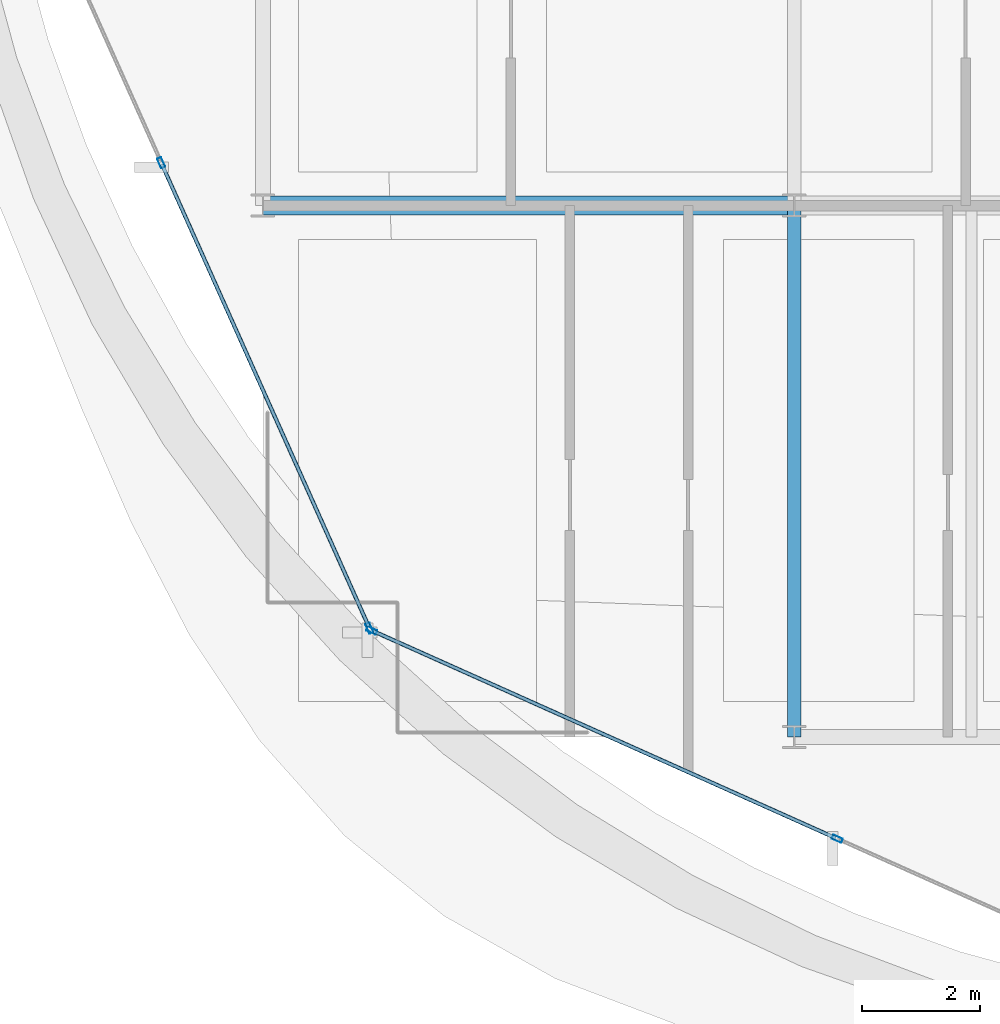
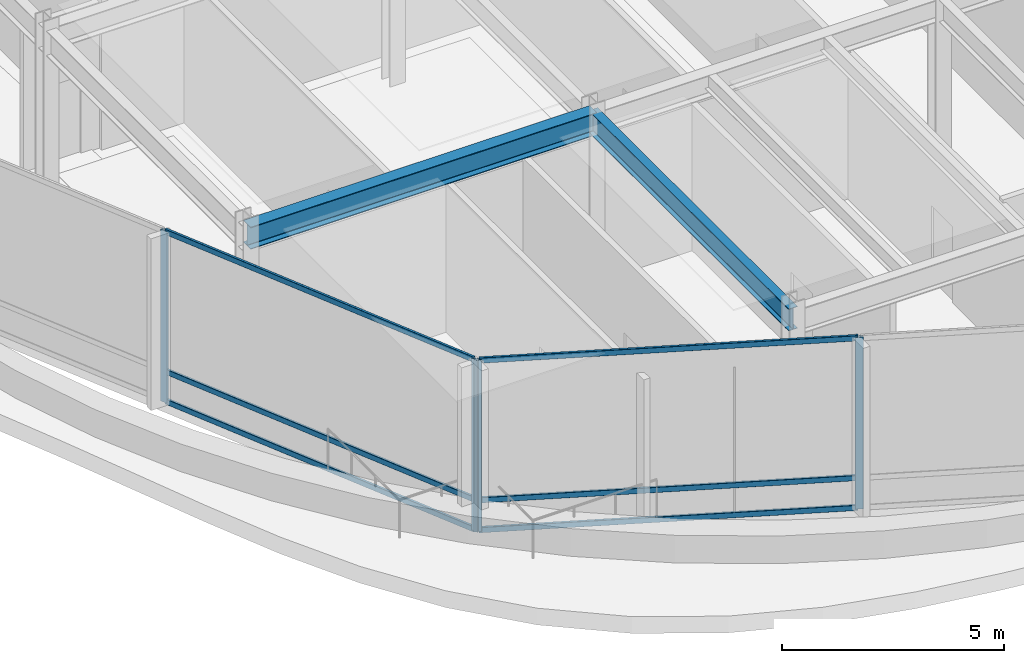
# One storey, part 2 of 23: 10 members, 2 beams, 2 elements without a shape of their own.
"""IFC4 building model written with IfcOpenShell, lengths in metres."""

from ifc_helpers import new_model, si_unit, direction, frame, origin, origin_2d, place, context, subcontext, project, spatial, hollow_rectangle, i_section, extrude, material, layer, layer_set, material_profile, profile_set, type_object, element, aggregate, save


model = new_model("IFC4")

# Units and contexts
model_context = context("Model", 3, precision=1e-05, world=origin(), true_north=direction((0.0, 1.0)))
body_context = subcontext(model_context, "Body", "Model", "MODEL_VIEW")
ifc_project = project(units=[si_unit("LENGTHUNIT", "METRE"), si_unit("AREAUNIT", "SQUARE_METRE"), si_unit("VOLUMEUNIT", "CUBIC_METRE"), si_unit("PLANEANGLEUNIT", "RADIAN"), si_unit("MASSUNIT", "GRAM", prefix="KILO")], contexts=[model_context])

# Site, building, storey
site_placement = place(None, origin())
site = spatial("IfcSite", under=ifc_project, at=site_placement, CompositionType="ELEMENT")
building_placement = place(site_placement, origin())
building = spatial("IfcBuilding", under=site, at=building_placement, Name="Solvaryn Broadcast Tower", CompositionType="ELEMENT")
storey_placement = place(building_placement, frame((0.0, 0.0, 235.800048828125)))
storey = spatial("IfcBuildingStorey", under=building, at=storey_placement, Name="L59", CompositionType="ELEMENT", Elevation=235.800048828125)

# Beams
ifc_material_1 = material(Name="Steel ASTM A992 Grade 50", Category="steel")
ifc_material_profile_1 = material_profile(ifc_material_1, i_section(OverallWidth=0.323974609375, OverallDepth=0.611083984375, WebThickness=0.0126953125, FlangeThickness=0.01904296875, FilletRadius=0.014892578125, at=origin_2d()))
ifc_profile_set_1 = profile_set([ifc_material_profile_1], Name="Steel ASTM A992 Grade 50")
beam_type_1 = type_object("IfcBeamType", Name="BM-B1-W24X104", PredefinedType="BEAM", material=ifc_profile_set_1)
beam_1_placement = place(storey_placement, frame((9.0, 18.0, 4.41455078125), z_axis=(1.0, 0.0, 0.0), x_axis=(0.0, 1.0, 0.0)))
element("IfcBeam", 1, at=beam_1_placement, inside=storey, type_object=beam_type_1, Name="L59 Primary Beam X (9-18 @ Y=18)", PredefinedType="BEAM", context=body_context, shape_type="SweptSolid", body=[
    extrude(i_section(OverallWidth=0.323974609375, OverallDepth=0.611083984375, WebThickness=0.0126953125, FlangeThickness=0.01904296875, FilletRadius=0.014892578125, at=origin_2d()), origin(), (0.0, 0.0, 1.0), 9.0),
])
ifc_material_2 = material(Name="Steel ASTM A992 Grade 50", Category="steel")
ifc_material_profile_2 = material_profile(ifc_material_2, i_section(OverallWidth=0.22802734375, OverallDepth=0.60791015625, WebThickness=0.01123046875, FlangeThickness=0.017333984375, FilletRadius=0.014892578125, at=origin_2d()))
ifc_profile_set_2 = profile_set([ifc_material_profile_2], Name="Steel ASTM A992 Grade 50")
beam_type_2 = type_object("IfcBeamType", Name="BM-B2-W24X76", PredefinedType="BEAM", material=ifc_profile_set_2)
beam_2_placement = place(storey_placement, frame((18.0, 9.0, 4.416015625), z_axis=(0.0, 1.0, 0.0), x_axis=(-1.0, 0.0, 0.0)))
element("IfcBeam", 2, at=beam_2_placement, inside=storey, type_object=beam_type_2, Name="L59 Primary Beam Y (9-18 @ X=18)", PredefinedType="BEAM", context=body_context, shape_type="SweptSolid", body=[
    extrude(i_section(OverallWidth=0.22802734375, OverallDepth=0.60791015625, WebThickness=0.01123046875, FlangeThickness=0.017333984375, FilletRadius=0.014892578125, at=origin_2d()), origin(), (0.0, 0.0, 1.0), 9.0),
])

# Curtain wall, members
ifc_material_3 = material(Name="Aluminium and Terracotta Unitised Curtain Wall", Category="masonry")
ifc_layer = layer(ifc_material_3, 0.25)
ifc_layer_set = layer_set([ifc_layer], Name="CW-SYS4-SKYGARDEN")
curtain_wall_type = type_object("IfcCurtainWallType", Name="CW-SYS4-SKYGARDEN", PredefinedType="NOTDEFINED", material=ifc_layer_set)
curtain_wall_1_placement = place(storey_placement, origin())
curtain_wall_1 = element("IfcCurtainWall", 3, at=curtain_wall_1_placement, inside=storey, type_object=curtain_wall_type, Name="L59 Curtain Wall DR2", PredefinedType="NOTDEFINED")
ifc_material_4 = material(Name="Anodised Aluminium 6063-T6", Category="aluminium")
ifc_material_profile_3 = material_profile(ifc_material_4, hollow_rectangle(XDim=0.074951171875, YDim=0.179931640625, WallThickness=0.00390625, InnerFilletRadius=0.00390625, OuterFilletRadius=0.008056640625, at=origin_2d()))
ifc_profile_set_3 = profile_set([ifc_material_profile_3], Name="Anodised Aluminium 6063-T6")
member_type_1 = type_object("IfcMemberType", Name="CW-MUL-180", PredefinedType="MULLION", material=ifc_profile_set_3)
member_1_placement = place(storey_placement, frame((7.277587890625, 18.7265625, 0.0), z_axis=(0.0, 0.0, 1.0), x_axis=(0.912773530574, 0.408466010682, 0.0)))
member_1 = element("IfcMember", 4, at=member_1_placement, type_object=member_type_1, Name="CWS4 mullion 2", PredefinedType="MULLION", context=body_context, shape_type="SweptSolid", body=[
    extrude(hollow_rectangle(XDim=0.074951171875, YDim=0.179931640625, WallThickness=0.00390625, InnerFilletRadius=0.00390625, OuterFilletRadius=0.008056640625, at=origin_2d()), origin(), (0.0, 0.0, 1.0), 4.719970703125),
])
member_2_placement = place(storey_placement, frame((10.8046875, 10.844482421875, 0.0), z_axis=(0.0, 0.0, 1.0), x_axis=(0.912773530574, 0.408466010682, 0.0)))
member_2 = element("IfcMember", 5, at=member_2_placement, type_object=member_type_1, Name="CWS4 mullion 3", PredefinedType="MULLION", context=body_context, shape_type="SweptSolid", body=[
    extrude(hollow_rectangle(XDim=0.074951171875, YDim=0.179931640625, WallThickness=0.00390625, InnerFilletRadius=0.00390625, OuterFilletRadius=0.008056640625, at=origin_2d()), origin(), (0.0, 0.0, 1.0), 4.719970703125),
])

curtain_wall_2_placement = place(storey_placement, origin())
curtain_wall_2 = element("IfcCurtainWall", 6, at=curtain_wall_2_placement, inside=storey, type_object=curtain_wall_type, Name="L59 Curtain Wall DR3", PredefinedType="NOTDEFINED")
member_3_placement = place(storey_placement, frame((10.844482421875, 10.8046875, 0.0), z_axis=(0.0, 0.0, 1.0), x_axis=(0.408466010682, 0.912773530574, 0.0)))
member_3 = element("IfcMember", 7, at=member_3_placement, type_object=member_type_1, Name="CWS4 mullion 1", PredefinedType="MULLION", context=body_context, shape_type="SweptSolid", body=[
    extrude(hollow_rectangle(XDim=0.074951171875, YDim=0.179931640625, WallThickness=0.00390625, InnerFilletRadius=0.00390625, OuterFilletRadius=0.008056640625, at=origin_2d()), origin(), (0.0, 0.0, 1.0), 4.719970703125),
])
member_4_placement = place(storey_placement, frame((18.7265625, 7.277587890625, 0.0), z_axis=(0.0, 0.0, 1.0), x_axis=(0.408466010682, 0.912773530574, 0.0)))
member_4 = element("IfcMember", 8, at=member_4_placement, type_object=member_type_1, Name="CWS4 mullion 2", PredefinedType="MULLION", context=body_context, shape_type="SweptSolid", body=[
    extrude(hollow_rectangle(XDim=0.074951171875, YDim=0.179931640625, WallThickness=0.00390625, InnerFilletRadius=0.00390625, OuterFilletRadius=0.008056640625, at=origin_2d()), origin(), (0.0, 0.0, 1.0), 4.719970703125),
])

# Member
ifc_material_5 = material(Name="Anodised Aluminium 6063-T6", Category="aluminium")
ifc_material_profile_4 = material_profile(ifc_material_5, hollow_rectangle(XDim=0.06494140625, YDim=0.14990234375, WallThickness=0.00390625, InnerFilletRadius=0.00390625, OuterFilletRadius=0.008056640625, at=origin_2d()))
ifc_profile_set_4 = profile_set([ifc_material_profile_4], Name="Anodised Aluminium 6063-T6")
member_type_2 = type_object("IfcMemberType", Name="CW-TRN-150", PredefinedType="USERDEFINED", material=ifc_profile_set_4)
member_5_placement = place(storey_placement, frame((7.289794921875, 18.69921875, 0.030029296875), z_axis=(0.408459074172, -0.91277663463, 0.0), x_axis=(0.91277663463, 0.408459074172, 0.0)))
member_5 = element("IfcMember", 9, at=member_5_placement, type_object=member_type_2, Name="CWS4 transom 2.1", ObjectType="TRANSOM", PredefinedType="USERDEFINED", context=body_context, shape_type="SweptSolid", body=[
    extrude(hollow_rectangle(XDim=0.06494140625, YDim=0.14990234375, WallThickness=0.00390625, InnerFilletRadius=0.00390625, OuterFilletRadius=0.008056640625, at=origin_2d()), origin(), (0.0, 0.0, 1.0), 8.575439453125),
])

member_6_placement = place(storey_placement, frame((7.289794921875, 18.69921875, 0.849853515625), z_axis=(0.408459074172, -0.91277663463, 0.0), x_axis=(0.91277663463, 0.408459074172, 0.0)))
member_6 = element("IfcMember", 10, at=member_6_placement, type_object=member_type_2, Name="CWS4 transom 2.2", ObjectType="TRANSOM", PredefinedType="USERDEFINED", context=body_context, shape_type="SweptSolid", body=[
    extrude(hollow_rectangle(XDim=0.06494140625, YDim=0.14990234375, WallThickness=0.00390625, InnerFilletRadius=0.00390625, OuterFilletRadius=0.008056640625, at=origin_2d()), origin(), (0.0, 0.0, 1.0), 8.575439453125),
])

member_7_placement = place(storey_placement, frame((7.289794921875, 18.69921875, 4.68994140625), z_axis=(0.408459074172, -0.91277663463, 0.0), x_axis=(0.91277663463, 0.408459074172, 0.0)))
member_7 = element("IfcMember", 11, at=member_7_placement, type_object=member_type_2, Name="CWS4 transom 2.3", ObjectType="TRANSOM", PredefinedType="USERDEFINED", context=body_context, shape_type="SweptSolid", body=[
    extrude(hollow_rectangle(XDim=0.06494140625, YDim=0.14990234375, WallThickness=0.00390625, InnerFilletRadius=0.00390625, OuterFilletRadius=0.008056640625, at=origin_2d()), origin(), (0.0, 0.0, 1.0), 8.575439453125),
])

aggregate(curtain_wall_1, [member_1, member_2, member_5, member_6, member_7])

member_8_placement = place(storey_placement, frame((10.871826171875, 10.79248046875, 0.030029296875), z_axis=(0.91277663463, -0.408459074172, 0.0), x_axis=(0.408459074172, 0.91277663463, 0.0)))
member_8 = element("IfcMember", 12, at=member_8_placement, type_object=member_type_2, Name="CWS4 transom 1.1", ObjectType="TRANSOM", PredefinedType="USERDEFINED", context=body_context, shape_type="SweptSolid", body=[
    extrude(hollow_rectangle(XDim=0.06494140625, YDim=0.14990234375, WallThickness=0.00390625, InnerFilletRadius=0.00390625, OuterFilletRadius=0.008056640625, at=origin_2d()), origin(), (0.0, 0.0, 1.0), 8.575439453125),
])

member_9_placement = place(storey_placement, frame((10.871826171875, 10.79248046875, 0.849853515625), z_axis=(0.91277663463, -0.408459074172, 0.0), x_axis=(0.408459074172, 0.91277663463, 0.0)))
member_9 = element("IfcMember", 13, at=member_9_placement, type_object=member_type_2, Name="CWS4 transom 1.2", ObjectType="TRANSOM", PredefinedType="USERDEFINED", context=body_context, shape_type="SweptSolid", body=[
    extrude(hollow_rectangle(XDim=0.06494140625, YDim=0.14990234375, WallThickness=0.00390625, InnerFilletRadius=0.00390625, OuterFilletRadius=0.008056640625, at=origin_2d()), origin(), (0.0, 0.0, 1.0), 8.575439453125),
])

member_10_placement = place(storey_placement, frame((10.871826171875, 10.79248046875, 4.68994140625), z_axis=(0.91277663463, -0.408459074172, 0.0), x_axis=(0.408459074172, 0.91277663463, 0.0)))
member_10 = element("IfcMember", 14, at=member_10_placement, type_object=member_type_2, Name="CWS4 transom 1.3", ObjectType="TRANSOM", PredefinedType="USERDEFINED", context=body_context, shape_type="SweptSolid", body=[
    extrude(hollow_rectangle(XDim=0.06494140625, YDim=0.14990234375, WallThickness=0.00390625, InnerFilletRadius=0.00390625, OuterFilletRadius=0.008056640625, at=origin_2d()), origin(), (0.0, 0.0, 1.0), 8.575439453125),
])

aggregate(curtain_wall_2, [member_3, member_4, member_8, member_9, member_10])

save(model, "model.ifc")
